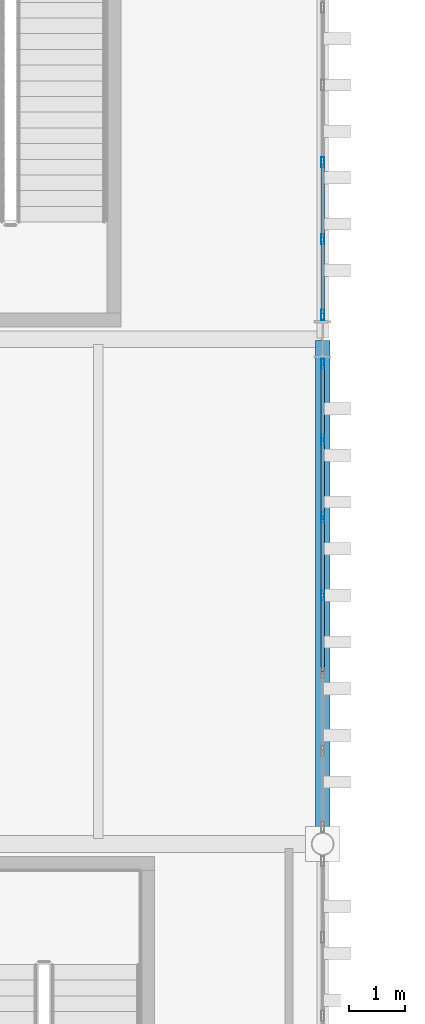
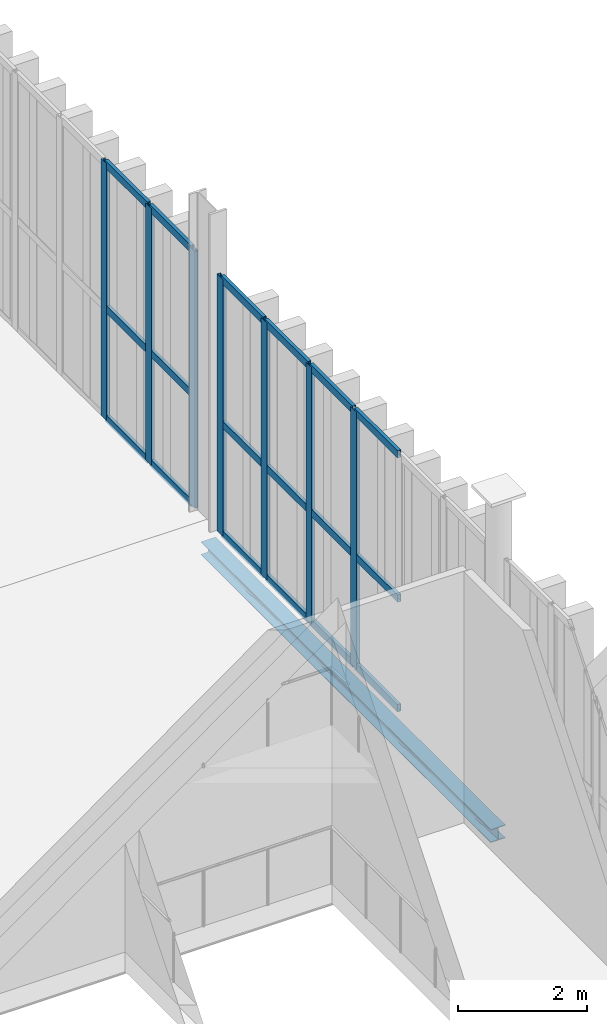
# One storey, part 134 of 237: 25 members, 1 beam, 2 elements without a shape of their own.
"""IFC4 building model written with IfcOpenShell, lengths in metres."""

import ifcopenshell
import ifcopenshell.guid

model = None  # the IFC model being written
_history = None  # IfcOwnerHistory: only IFC2X3 demands one
_inside = {}  # id of a spatial element -> (the spatial element, [elements in it])
_under = {}  # id of a project, library or spatial element -> (it, [spatial elements below it])
_declared = {}  # id of a project -> (the project, [libraries it declares])
_typed = {}  # id of a type object -> (the type object, [elements of that type])
_made_of = {}  # id of a material, layer set ... -> (it, [elements and type objects made of it])


def new_model(schema):
    """Start an empty IFC model of exactly this schema.

    Asked for "IFC4X3", IfcOpenShell would pick the latest addendum, in which some entities
    have other attributes; the version numbers below select the first issue.
    IFC2X3 requires an IfcOwnerHistory on every rooted entity: one is made here for all.
    """
    global model, _history
    if schema == "IFC4X3":
        model = ifcopenshell.file(schema_version=(4, 3, 0, 0))
    else:
        model = ifcopenshell.file(schema=schema)
    _inside.clear()
    _under.clear()
    _declared.clear()
    _typed.clear()
    _made_of.clear()
    _history = None
    if model.schema == "IFC2X3":
        org = make("IfcOrganization", Name="unknown")
        user = make(
            "IfcPersonAndOrganization",
            ThePerson=make("IfcPerson", FamilyName="unknown"),
            TheOrganization=org,
        )
        app = make(
            "IfcApplication",
            ApplicationDeveloper=org,
            Version="unknown",
            ApplicationFullName="unknown",
            ApplicationIdentifier="unknown",
        )
        _history = make(
            "IfcOwnerHistory",
            OwningUser=user,
            OwningApplication=app,
            ChangeAction="ADDED",
            CreationDate=0,
        )
    return model


def make(cls, **values):
    """One entity of the class cls with the attributes given. An attribute that is None is left unset."""
    return model.create_entity(
        cls, **{name: value for name, value in values.items() if value is not None}
    )


def rooted(cls, **values):
    """An entity with a GlobalId (a new one), such as an element, a storey or a relation."""
    return make(cls, GlobalId=ifcopenshell.guid.new(), OwnerHistory=_history, **values)


def si_unit(unit_type, name, prefix=None):
    """IfcSIUnit, for example si_unit("LENGTHUNIT", "METRE", prefix="MILLI")."""
    return make("IfcSIUnit", UnitType=unit_type, Prefix=prefix, Name=name)


def assignment(units):
    """IfcUnitAssignment: the units of a project."""
    return None if units is None else make("IfcUnitAssignment", Units=units)


def point(xyz):
    """IfcCartesianPoint."""
    return None if xyz is None else make("IfcCartesianPoint", Coordinates=xyz)


def direction(xyz):
    """IfcDirection."""
    return None if xyz is None else make("IfcDirection", DirectionRatios=xyz)


def frame(location, z_axis=None, x_axis=None):
    """IfcAxis2Placement3D, a coordinate frame: its origin and axes. An axis left out is left unset."""
    return make(
        "IfcAxis2Placement3D",
        Location=point(location),
        Axis=direction(z_axis),
        RefDirection=direction(x_axis),
    )


def frame_2d(location, x_axis=None):
    """IfcAxis2Placement2D, a coordinate frame in the plane: its origin and x axis."""
    return make(
        "IfcAxis2Placement2D", Location=point(location), RefDirection=direction(x_axis)
    )


def origin():
    """The frame at (0, 0, 0) with its axes left unset."""
    return frame((0.0, 0.0, 0.0))


def origin_2d():
    """The frame at (0, 0) in the plane with its x axis left unset."""
    return frame_2d((0.0, 0.0))


def place(relative_to, where):
    """IfcLocalPlacement: puts the frame where relative to a parent placement (None: the world)."""
    return make(
        "IfcLocalPlacement", PlacementRelTo=relative_to, RelativePlacement=where
    )


def context(
    kind, dimensions, precision=None, world=None, true_north=None, identifier=None
):
    """IfcGeometricRepresentationContext, for example the 3D "Model" context."""
    return make(
        "IfcGeometricRepresentationContext",
        ContextIdentifier=identifier,
        ContextType=kind,
        CoordinateSpaceDimension=dimensions,
        Precision=precision,
        WorldCoordinateSystem=world,
        TrueNorth=true_north,
    )


def subcontext(parent, identifier, kind, view, scale=None):
    """IfcGeometricRepresentationSubContext, for example "Body" below "Model"."""
    return make(
        "IfcGeometricRepresentationSubContext",
        ContextIdentifier=identifier,
        ContextType=kind,
        ParentContext=parent,
        TargetScale=scale,
        TargetView=view,
    )


def project(units=None, contexts=None):
    """IfcProject with its units and contexts."""
    return rooted(
        "IfcProject",
        Name="project",
        RepresentationContexts=contexts,
        UnitsInContext=assignment(units),
    )


def spatial(cls, under=None, at=None, **own):
    """A site, building, storey or space (cls), placed at a placement, below another one or the project."""
    s = rooted(cls, ObjectPlacement=at, **own)
    if under is not None:
        _under.setdefault(under.id(), (under, []))[1].append(s)
    return s


def profile(cls, at=None, kind="AREA", **sizes):
    """A parametric profile (cls). Its sizes go by their IFC names, for example OverallWidth=200.0."""
    return make(cls, ProfileType=kind, Position=at, **sizes)


def hollow_rectangle(**sizes):
    """IfcRectangleHollowProfileDef."""
    return profile("IfcRectangleHollowProfileDef", **sizes)


def i_section(**sizes):
    """IfcIShapeProfileDef."""
    return profile("IfcIShapeProfileDef", **sizes)


def extrude(swept, where, along, depth):
    """IfcExtrudedAreaSolid: the profile swept, set in the frame where, extruded along a direction by depth."""
    return make(
        "IfcExtrudedAreaSolid",
        SweptArea=swept,
        Position=where,
        ExtrudedDirection=direction(along),
        Depth=depth,
    )


def shape(context_of_items, identifier, shape_type, items):
    """IfcShapeRepresentation: the items that make up one representation, for example the "Body"."""
    return make(
        "IfcShapeRepresentation",
        ContextOfItems=context_of_items,
        RepresentationIdentifier=identifier,
        RepresentationType=shape_type,
        Items=items,
    )


def material(Name=None, Category=None):
    """IfcMaterial."""
    return make("IfcMaterial", Name=Name, Category=Category)


def layer(
    of_material, thickness, ventilated=None, Name=None, Category=None, Priority=None
):
    """IfcMaterialLayer: one layer of a wall or slab, of a material (None: an air gap)."""
    return make(
        "IfcMaterialLayer",
        Material=of_material,
        LayerThickness=thickness,
        IsVentilated=ventilated,
        Name=Name,
        Category=Category,
        Priority=Priority,
    )


def layer_set(layers, Name=None):
    """IfcMaterialLayerSet."""
    return make("IfcMaterialLayerSet", MaterialLayers=layers, LayerSetName=Name)


def material_profile(
    of_material, cross_section, Name=None, Category=None, Priority=None
):
    """IfcMaterialProfile: a cross section and its material."""
    return make(
        "IfcMaterialProfile",
        Name=Name,
        Material=of_material,
        Profile=cross_section,
        Priority=Priority,
        Category=Category,
    )


def profile_set(profiles, Name=None, composite=None):
    """IfcMaterialProfileSet."""
    return make(
        "IfcMaterialProfileSet",
        Name=Name,
        MaterialProfiles=profiles,
        CompositeProfile=composite,
    )


def made_of(thing, what):
    """Note that an element or type object is made of a material, layer set ...; save() writes the relation."""
    if what is not None:
        _made_of.setdefault(what.id(), (what, []))[1].append(thing)
    return thing


def type_object(cls, material=None, **own):
    """A type object (cls), such as IfcWallType, which elements share."""
    return made_of(rooted(cls, **own), material)


def element(
    cls,
    number,
    at=None,
    inside=None,
    cuts=None,
    type_object=None,
    material=None,
    context=None,
    identifier="Body",
    shape_type=None,
    held_by="IfcProductDefinitionShape",
    body=None,
    shapes=None,
    **own,
):
    """One element of the class cls, such as IfcWall. Its Tag is "e" and its number.

    at: its placement. inside: the storey or other place that contains it. cuts: it is an
    opening in that element (IfcRelVoidsElement). A single representation is given by context,
    identifier, shape_type and body (its items); several are given by shapes. held_by: the class
    of the entity that holds the representations. save() writes the other relations.
    """
    e = rooted(cls, Tag="e%d" % number, ObjectPlacement=at, **own)
    if body is not None:
        shapes = [shape(context, identifier, shape_type, body)]
    if shapes is not None:
        e.Representation = make(held_by, Representations=shapes)
    if inside is not None:
        _inside.setdefault(inside.id(), (inside, []))[1].append(e)
    if cuts is not None:
        rooted(
            "IfcRelVoidsElement", RelatingBuildingElement=cuts, RelatedOpeningElement=e
        )
    if type_object is not None:
        _typed.setdefault(type_object.id(), (type_object, []))[1].append(e)
    return made_of(e, material)


def aggregate(whole, parts):
    """IfcRelAggregates: a whole, such as a stair, and the parts it consists of."""
    return rooted("IfcRelAggregates", RelatingObject=whole, RelatedObjects=parts)


def save(model, path):
    """Write the relations noted so far, then the file.

    IfcRelAggregates (storeys below a building ...), IfcRelContainedInSpatialStructure (elements
    in a storey), IfcRelDefinesByType, IfcRelAssociatesMaterial and IfcRelDeclares: one each for
    every whole, place, type object, material and project.
    """
    for whole, parts in _under.values():
        aggregate(whole, parts)
    for where, things in _inside.values():
        rooted(
            "IfcRelContainedInSpatialStructure",
            RelatedElements=things,
            RelatingStructure=where,
        )
    for kind, things in _typed.values():
        rooted("IfcRelDefinesByType", RelatedObjects=things, RelatingType=kind)
    for what, things in _made_of.values():
        rooted("IfcRelAssociatesMaterial", RelatedObjects=things, RelatingMaterial=what)
    for by, libraries in _declared.values():
        rooted("IfcRelDeclares", RelatingContext=by, RelatedDefinitions=libraries)
    model.write(path)


model = new_model("IFC4")

# Units and contexts
model_context = context("Model", 3, precision=1e-05, world=origin(), true_north=direction((0.0, 1.0)))
body_context = subcontext(model_context, "Body", "Model", "MODEL_VIEW")
ifc_project = project(units=[si_unit("LENGTHUNIT", "METRE"), si_unit("AREAUNIT", "SQUARE_METRE"), si_unit("VOLUMEUNIT", "CUBIC_METRE"), si_unit("PLANEANGLEUNIT", "RADIAN"), si_unit("MASSUNIT", "GRAM", prefix="KILO")], contexts=[model_context])

# Site, building, storey
site_placement = place(None, origin())
site = spatial("IfcSite", under=ifc_project, at=site_placement, CompositionType="ELEMENT")
building_placement = place(site_placement, origin())
building = spatial("IfcBuilding", under=site, at=building_placement, Name="Barlavento Convention Centre", CompositionType="ELEMENT")
storey_placement = place(building_placement, frame((0.0, 0.0, 12.0)))
storey = spatial("IfcBuildingStorey", under=building, at=storey_placement, Name="L02", CompositionType="ELEMENT", Elevation=12.0)

# Curtain wall, members
ifc_material_1 = material(Name="Powder-coated aluminium and Low-E glass", Category="aluminium")
ifc_layer = layer(ifc_material_1, 0.195068359375)
ifc_layer_set = layer_set([ifc_layer], Name="ARC-CW-BALL-L02")
curtain_wall_type = type_object("IfcCurtainWallType", Name="ARC-CW-BALL-L02", PredefinedType="NOTDEFINED", material=ifc_layer_set)
curtain_wall_1_placement = place(storey_placement, origin())
curtain_wall_1 = element("IfcCurtainWall", 1, at=curtain_wall_1_placement, inside=storey, type_object=curtain_wall_type, Name="L02 unitised curtain wall CW07", PredefinedType="NOTDEFINED")
ifc_material_2 = material(Name="Powder-coated aluminium", Category="aluminium")
ifc_material_profile_1 = material_profile(ifc_material_2, hollow_rectangle(XDim=0.06005859375, YDim=0.179931640625, WallThickness=0.0048828125, at=origin_2d()), Name="AL-MULL 60x180x5")
ifc_profile_set_1 = profile_set([ifc_material_profile_1], Name="Powder-coated aluminium")
member_type_1 = type_object("IfcMemberType", Name="ARC-CWM-60X180", PredefinedType="MULLION", material=ifc_profile_set_1)
member_1_placement = place(storey_placement, frame((192.0, 49.4345703125, 0.0), z_axis=(0.0, 0.0, 1.0), x_axis=(-1.0, 0.0, 0.0)))
member_1 = element("IfcMember", 2, at=member_1_placement, type_object=member_type_1, Name="CW07 mullion 4", PredefinedType="MULLION", context=body_context, shape_type="SweptSolid", body=[
    extrude(hollow_rectangle(XDim=0.06005859375, YDim=0.179931640625, WallThickness=0.0048828125, at=origin_2d()), origin(), (0.0, 0.0, 1.0), 4.85009765625),
])
member_2_placement = place(storey_placement, frame((192.0, 50.82177734375, 0.0), z_axis=(0.0, 0.0, 1.0), x_axis=(-1.0, 0.0, 0.0)))
member_2 = element("IfcMember", 3, at=member_2_placement, type_object=member_type_1, Name="CW07 mullion 5", PredefinedType="MULLION", context=body_context, shape_type="SweptSolid", body=[
    extrude(hollow_rectangle(XDim=0.06005859375, YDim=0.179931640625, WallThickness=0.0048828125, at=origin_2d()), origin(), (0.0, 0.0, 1.0), 4.85009765625),
])
member_3_placement = place(storey_placement, frame((192.0, 52.208984375, 0.0), z_axis=(0.0, 0.0, 1.0), x_axis=(-1.0, 0.0, 0.0)))
member_3 = element("IfcMember", 4, at=member_3_placement, type_object=member_type_1, Name="CW07 mullion 6", PredefinedType="MULLION", context=body_context, shape_type="SweptSolid", body=[
    extrude(hollow_rectangle(XDim=0.06005859375, YDim=0.179931640625, WallThickness=0.0048828125, at=origin_2d()), origin(), (0.0, 0.0, 1.0), 4.85009765625),
])
member_4_placement = place(storey_placement, frame((192.0, 53.56591796875, 0.0), z_axis=(0.0, 0.0, 1.0), x_axis=(-1.0, 0.0, 0.0)))
member_4 = element("IfcMember", 5, at=member_4_placement, type_object=member_type_1, Name="CW07 mullion 7", PredefinedType="MULLION", context=body_context, shape_type="SweptSolid", body=[
    extrude(hollow_rectangle(XDim=0.06005859375, YDim=0.179931640625, WallThickness=0.0048828125, at=origin_2d()), origin(), (0.0, 0.0, 1.0), 4.85009765625),
])

curtain_wall_2_placement = place(storey_placement, origin())
curtain_wall_2 = element("IfcCurtainWall", 6, at=curtain_wall_2_placement, inside=storey, type_object=curtain_wall_type, Name="L02 unitised curtain wall CW07", PredefinedType="NOTDEFINED")
member_5_placement = place(storey_placement, frame((192.0, 54.43408203125, 0.0), z_axis=(0.0, 0.0, 1.0), x_axis=(-1.0, 0.0, 0.0)))
member_5 = element("IfcMember", 7, at=member_5_placement, type_object=member_type_1, Name="CW07 mullion 1", PredefinedType="MULLION", context=body_context, shape_type="SweptSolid", body=[
    extrude(hollow_rectangle(XDim=0.06005859375, YDim=0.179931640625, WallThickness=0.0048828125, at=origin_2d()), origin(), (0.0, 0.0, 1.0), 4.85009765625),
])
member_6_placement = place(storey_placement, frame((192.0, 55.78125, 0.0), z_axis=(0.0, 0.0, 1.0), x_axis=(-1.0, 0.0, 0.0)))
member_6 = element("IfcMember", 8, at=member_6_placement, type_object=member_type_1, Name="CW07 mullion 2", PredefinedType="MULLION", context=body_context, shape_type="SweptSolid", body=[
    extrude(hollow_rectangle(XDim=0.06005859375, YDim=0.179931640625, WallThickness=0.0048828125, at=origin_2d()), origin(), (0.0, 0.0, 1.0), 4.85009765625),
])
member_7_placement = place(storey_placement, frame((192.0, 57.15869140625, 0.0), z_axis=(0.0, 0.0, 1.0), x_axis=(-1.0, 0.0, 0.0)))
member_7 = element("IfcMember", 9, at=member_7_placement, type_object=member_type_1, Name="CW07 mullion 3", PredefinedType="MULLION", context=body_context, shape_type="SweptSolid", body=[
    extrude(hollow_rectangle(XDim=0.06005859375, YDim=0.179931640625, WallThickness=0.0048828125, at=origin_2d()), origin(), (0.0, 0.0, 1.0), 4.85009765625),
])

# Member
ifc_material_profile_2 = material_profile(ifc_material_2, hollow_rectangle(XDim=0.06005859375, YDim=0.139892578125, WallThickness=0.00390625, at=origin_2d()), Name="AL-TRAN 60x140x4")
ifc_profile_set_2 = profile_set([ifc_material_profile_2], Name="Powder-coated aluminium")
member_type_2 = type_object("IfcMemberType", Name="ARC-CWT-60X140", PredefinedType="USERDEFINED", material=ifc_profile_set_2)
member_8_placement = place(storey_placement, frame((192.0, 48.077392578125, 0.030029296875), z_axis=(0.0, 1.0, 0.0), x_axis=(-1.0, 0.0, 0.0)))
member_8 = element("IfcMember", 10, at=member_8_placement, type_object=member_type_2, Name="CW07 transom 3.1", ObjectType="TRANSOM", PredefinedType="USERDEFINED", context=body_context, shape_type="SweptSolid", body=[
    extrude(hollow_rectangle(XDim=0.06005859375, YDim=0.139892578125, WallThickness=0.00390625, at=origin_2d()), origin(), (0.0, 0.0, 1.0), 1.3271484375),
])

member_9_placement = place(storey_placement, frame((192.0, 48.077392578125, 2.10009765625), z_axis=(0.0, 1.0, 0.0), x_axis=(-1.0, 0.0, 0.0)))
member_9 = element("IfcMember", 11, at=member_9_placement, type_object=member_type_2, Name="CW07 transom 3.2", ObjectType="TRANSOM", PredefinedType="USERDEFINED", context=body_context, shape_type="SweptSolid", body=[
    extrude(hollow_rectangle(XDim=0.06005859375, YDim=0.139892578125, WallThickness=0.00390625, at=origin_2d()), origin(), (0.0, 0.0, 1.0), 1.3271484375),
])

member_10_placement = place(storey_placement, frame((192.0, 48.077392578125, 4.820068359375), z_axis=(0.0, 1.0, 0.0), x_axis=(-1.0, 0.0, 0.0)))
member_10 = element("IfcMember", 12, at=member_10_placement, type_object=member_type_2, Name="CW07 transom 3.3", ObjectType="TRANSOM", PredefinedType="USERDEFINED", context=body_context, shape_type="SweptSolid", body=[
    extrude(hollow_rectangle(XDim=0.06005859375, YDim=0.139892578125, WallThickness=0.00390625, at=origin_2d()), origin(), (0.0, 0.0, 1.0), 1.3271484375),
])

member_11_placement = place(storey_placement, frame((192.0, 49.464599609375, 0.030029296875), z_axis=(0.0, 1.0, 0.0), x_axis=(-1.0, 0.0, 0.0)))
member_11 = element("IfcMember", 13, at=member_11_placement, type_object=member_type_2, Name="CW07 transom 4.1", ObjectType="TRANSOM", PredefinedType="USERDEFINED", context=body_context, shape_type="SweptSolid", body=[
    extrude(hollow_rectangle(XDim=0.06005859375, YDim=0.139892578125, WallThickness=0.00390625, at=origin_2d()), origin(), (0.0, 0.0, 1.0), 1.3271484375),
])

member_12_placement = place(storey_placement, frame((192.0, 49.464599609375, 2.10009765625), z_axis=(0.0, 1.0, 0.0), x_axis=(-1.0, 0.0, 0.0)))
member_12 = element("IfcMember", 14, at=member_12_placement, type_object=member_type_2, Name="CW07 transom 4.2", ObjectType="TRANSOM", PredefinedType="USERDEFINED", context=body_context, shape_type="SweptSolid", body=[
    extrude(hollow_rectangle(XDim=0.06005859375, YDim=0.139892578125, WallThickness=0.00390625, at=origin_2d()), origin(), (0.0, 0.0, 1.0), 1.3271484375),
])

member_13_placement = place(storey_placement, frame((192.0, 49.464599609375, 4.820068359375), z_axis=(0.0, 1.0, 0.0), x_axis=(-1.0, 0.0, 0.0)))
member_13 = element("IfcMember", 15, at=member_13_placement, type_object=member_type_2, Name="CW07 transom 4.3", ObjectType="TRANSOM", PredefinedType="USERDEFINED", context=body_context, shape_type="SweptSolid", body=[
    extrude(hollow_rectangle(XDim=0.06005859375, YDim=0.139892578125, WallThickness=0.00390625, at=origin_2d()), origin(), (0.0, 0.0, 1.0), 1.3271484375),
])

member_14_placement = place(storey_placement, frame((192.0, 50.851806640625, 0.030029296875), z_axis=(0.0, 1.0, 0.0), x_axis=(-1.0, 0.0, 0.0)))
member_14 = element("IfcMember", 16, at=member_14_placement, type_object=member_type_2, Name="CW07 transom 5.1", ObjectType="TRANSOM", PredefinedType="USERDEFINED", context=body_context, shape_type="SweptSolid", body=[
    extrude(hollow_rectangle(XDim=0.06005859375, YDim=0.139892578125, WallThickness=0.00390625, at=origin_2d()), origin(), (0.0, 0.0, 1.0), 1.3271484375),
])

member_15_placement = place(storey_placement, frame((192.0, 50.851806640625, 2.10009765625), z_axis=(0.0, 1.0, 0.0), x_axis=(-1.0, 0.0, 0.0)))
member_15 = element("IfcMember", 17, at=member_15_placement, type_object=member_type_2, Name="CW07 transom 5.2", ObjectType="TRANSOM", PredefinedType="USERDEFINED", context=body_context, shape_type="SweptSolid", body=[
    extrude(hollow_rectangle(XDim=0.06005859375, YDim=0.139892578125, WallThickness=0.00390625, at=origin_2d()), origin(), (0.0, 0.0, 1.0), 1.3271484375),
])

member_16_placement = place(storey_placement, frame((192.0, 50.851806640625, 4.820068359375), z_axis=(0.0, 1.0, 0.0), x_axis=(-1.0, 0.0, 0.0)))
member_16 = element("IfcMember", 18, at=member_16_placement, type_object=member_type_2, Name="CW07 transom 5.3", ObjectType="TRANSOM", PredefinedType="USERDEFINED", context=body_context, shape_type="SweptSolid", body=[
    extrude(hollow_rectangle(XDim=0.06005859375, YDim=0.139892578125, WallThickness=0.00390625, at=origin_2d()), origin(), (0.0, 0.0, 1.0), 1.3271484375),
])

member_17_placement = place(storey_placement, frame((192.0, 52.23876953125, 0.030029296875), z_axis=(0.0, 1.0, 0.0), x_axis=(-1.0, 0.0, 0.0)))
member_17 = element("IfcMember", 19, at=member_17_placement, type_object=member_type_2, Name="CW07 transom 6.1", ObjectType="TRANSOM", PredefinedType="USERDEFINED", context=body_context, shape_type="SweptSolid", body=[
    extrude(hollow_rectangle(XDim=0.06005859375, YDim=0.139892578125, WallThickness=0.00390625, at=origin_2d()), origin(), (0.0, 0.0, 1.0), 1.297119140625),
])

member_18_placement = place(storey_placement, frame((192.0, 52.23876953125, 2.10009765625), z_axis=(0.0, 1.0, 0.0), x_axis=(-1.0, 0.0, 0.0)))
member_18 = element("IfcMember", 20, at=member_18_placement, type_object=member_type_2, Name="CW07 transom 6.2", ObjectType="TRANSOM", PredefinedType="USERDEFINED", context=body_context, shape_type="SweptSolid", body=[
    extrude(hollow_rectangle(XDim=0.06005859375, YDim=0.139892578125, WallThickness=0.00390625, at=origin_2d()), origin(), (0.0, 0.0, 1.0), 1.297119140625),
])

member_19_placement = place(storey_placement, frame((192.0, 52.23876953125, 4.820068359375), z_axis=(0.0, 1.0, 0.0), x_axis=(-1.0, 0.0, 0.0)))
member_19 = element("IfcMember", 21, at=member_19_placement, type_object=member_type_2, Name="CW07 transom 6.3", ObjectType="TRANSOM", PredefinedType="USERDEFINED", context=body_context, shape_type="SweptSolid", body=[
    extrude(hollow_rectangle(XDim=0.06005859375, YDim=0.139892578125, WallThickness=0.00390625, at=origin_2d()), origin(), (0.0, 0.0, 1.0), 1.297119140625),
])

aggregate(curtain_wall_1, [member_1, member_2, member_3, member_4, member_8, member_9, member_10, member_11, member_12, member_13, member_14, member_15, member_16, member_17, member_18, member_19])

member_20_placement = place(storey_placement, frame((192.0, 54.464111328125, 0.030029296875), z_axis=(0.0, 1.0, 0.0), x_axis=(-1.0, 0.0, 0.0)))
member_20 = element("IfcMember", 22, at=member_20_placement, type_object=member_type_2, Name="CW07 transom 1.1", ObjectType="TRANSOM", PredefinedType="USERDEFINED", context=body_context, shape_type="SweptSolid", body=[
    extrude(hollow_rectangle(XDim=0.06005859375, YDim=0.139892578125, WallThickness=0.00390625, at=origin_2d()), origin(), (0.0, 0.0, 1.0), 1.287109375),
])

member_21_placement = place(storey_placement, frame((192.0, 54.464111328125, 2.10009765625), z_axis=(0.0, 1.0, 0.0), x_axis=(-1.0, 0.0, 0.0)))
member_21 = element("IfcMember", 23, at=member_21_placement, type_object=member_type_2, Name="CW07 transom 1.2", ObjectType="TRANSOM", PredefinedType="USERDEFINED", context=body_context, shape_type="SweptSolid", body=[
    extrude(hollow_rectangle(XDim=0.06005859375, YDim=0.139892578125, WallThickness=0.00390625, at=origin_2d()), origin(), (0.0, 0.0, 1.0), 1.287109375),
])

member_22_placement = place(storey_placement, frame((192.0, 54.464111328125, 4.820068359375), z_axis=(0.0, 1.0, 0.0), x_axis=(-1.0, 0.0, 0.0)))
member_22 = element("IfcMember", 24, at=member_22_placement, type_object=member_type_2, Name="CW07 transom 1.3", ObjectType="TRANSOM", PredefinedType="USERDEFINED", context=body_context, shape_type="SweptSolid", body=[
    extrude(hollow_rectangle(XDim=0.06005859375, YDim=0.139892578125, WallThickness=0.00390625, at=origin_2d()), origin(), (0.0, 0.0, 1.0), 1.287109375),
])

member_23_placement = place(storey_placement, frame((192.0, 55.811279296875, 0.030029296875), z_axis=(0.0, 1.0, 0.0), x_axis=(-1.0, 0.0, 0.0)))
member_23 = element("IfcMember", 25, at=member_23_placement, type_object=member_type_2, Name="CW07 transom 2.1", ObjectType="TRANSOM", PredefinedType="USERDEFINED", context=body_context, shape_type="SweptSolid", body=[
    extrude(hollow_rectangle(XDim=0.06005859375, YDim=0.139892578125, WallThickness=0.00390625, at=origin_2d()), origin(), (0.0, 0.0, 1.0), 1.3173828125),
])

member_24_placement = place(storey_placement, frame((192.0, 55.811279296875, 2.10009765625), z_axis=(0.0, 1.0, 0.0), x_axis=(-1.0, 0.0, 0.0)))
member_24 = element("IfcMember", 26, at=member_24_placement, type_object=member_type_2, Name="CW07 transom 2.2", ObjectType="TRANSOM", PredefinedType="USERDEFINED", context=body_context, shape_type="SweptSolid", body=[
    extrude(hollow_rectangle(XDim=0.06005859375, YDim=0.139892578125, WallThickness=0.00390625, at=origin_2d()), origin(), (0.0, 0.0, 1.0), 1.3173828125),
])

member_25_placement = place(storey_placement, frame((192.0, 55.811279296875, 4.820068359375), z_axis=(0.0, 1.0, 0.0), x_axis=(-1.0, 0.0, 0.0)))
member_25 = element("IfcMember", 27, at=member_25_placement, type_object=member_type_2, Name="CW07 transom 2.3", ObjectType="TRANSOM", PredefinedType="USERDEFINED", context=body_context, shape_type="SweptSolid", body=[
    extrude(hollow_rectangle(XDim=0.06005859375, YDim=0.139892578125, WallThickness=0.00390625, at=origin_2d()), origin(), (0.0, 0.0, 1.0), 1.3173828125),
])

aggregate(curtain_wall_2, [member_5, member_6, member_7, member_20, member_21, member_22, member_23, member_24, member_25])

# Beam
ifc_material_3 = material(Name="Steel S355", Category="steel")
ifc_material_profile_3 = material_profile(ifc_material_3, i_section(OverallWidth=0.260009765625, OverallDepth=0.25, WebThickness=0.007568359375, FlangeThickness=0.012451171875, FilletRadius=0.02392578125, at=origin_2d()), Name="HEA 260")
ifc_profile_set_3 = profile_set([ifc_material_profile_3], Name="Steel S355")
beam_type = type_object("IfcBeamType", Name="STR-BM-SPN-HEA260", PredefinedType="SPANDREL", material=ifc_profile_set_3)
beam_placement = place(storey_placement, frame((192.0, 45.02001953125, -0.4951171875), z_axis=(0.0, 1.0, 0.0), x_axis=(-1.0, 0.0, 0.0)))
element("IfcBeam", 28, at=beam_placement, inside=storey, type_object=beam_type, Name="L02 grid girder SP04", PredefinedType="SPANDREL", context=body_context, shape_type="SweptSolid", body=[
    extrude(i_section(OverallWidth=0.260009765625, OverallDepth=0.25, WebThickness=0.007568359375, FlangeThickness=0.012451171875, FilletRadius=0.02392578125, at=origin_2d()), origin(), (0.0, 0.0, 1.0), 8.9599609375),
])

save(model, "model.ifc")
